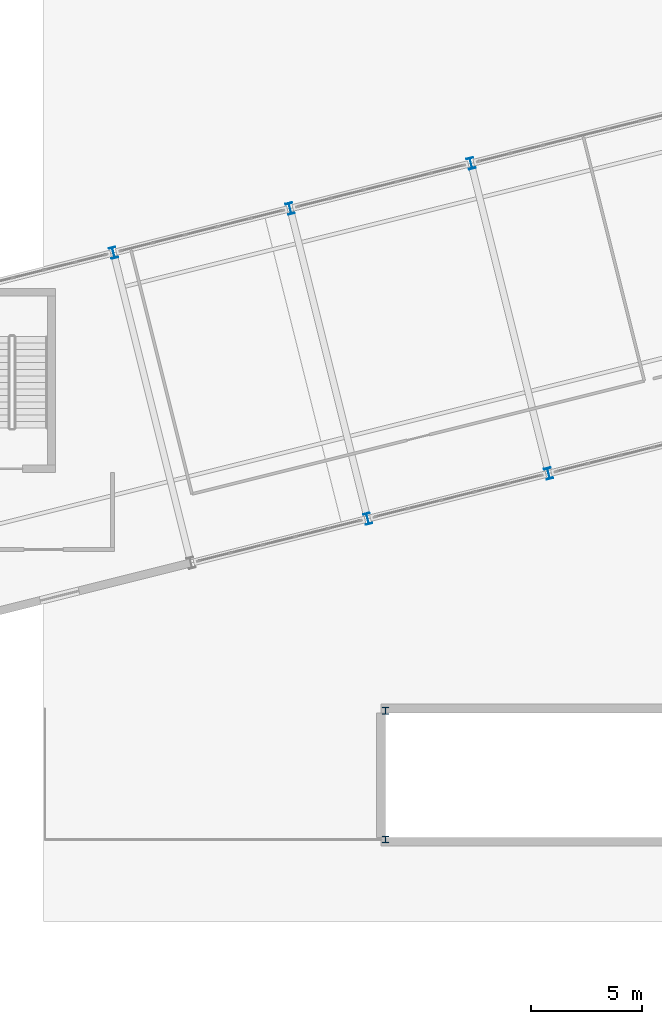
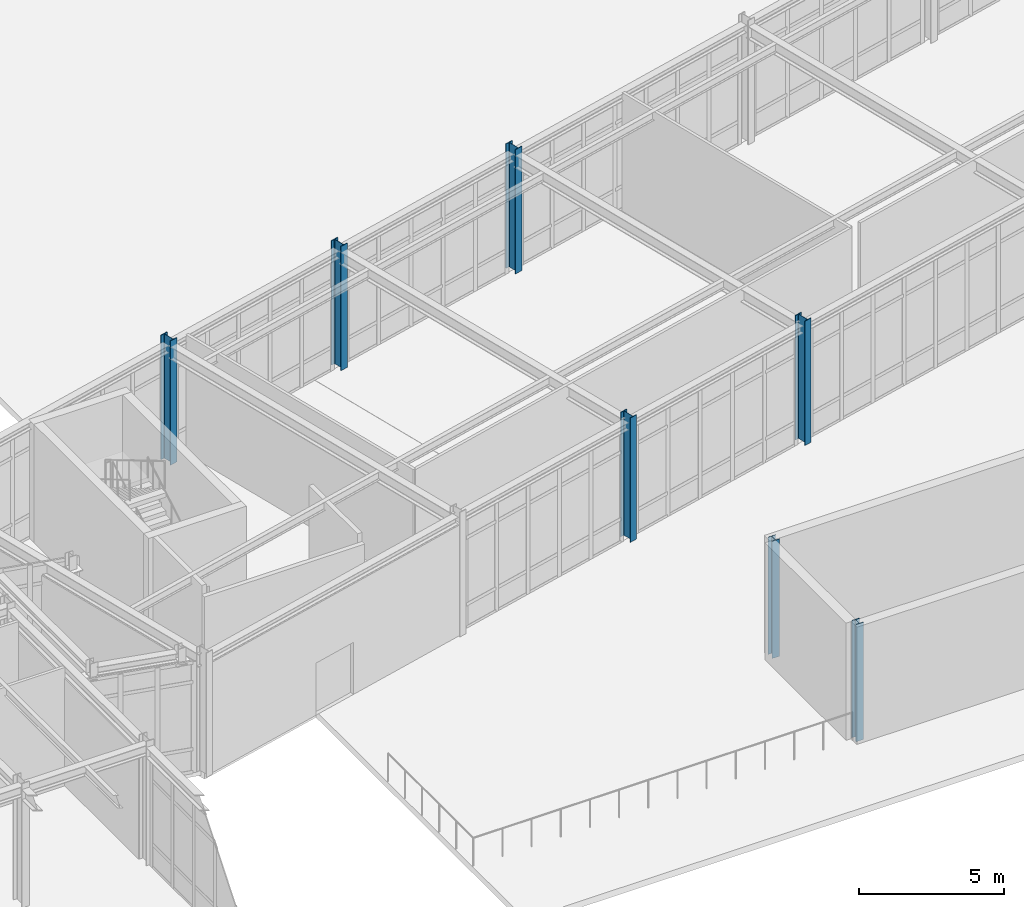
# One storey, part 7 of 109: 7 columns.
"""IFC4 building model written with IfcOpenShell, lengths in metres."""

from ifc_helpers import new_model, si_unit, direction, frame, origin, origin_2d, place, context, subcontext, project, spatial, i_section, extrude, material, material_profile, profile_set, type_object, element, save


model = new_model("IFC4")

# Units and contexts
model_context = context("Model", 3, precision=1e-05, world=origin(), true_north=direction((0.0, 1.0)))
body_context = subcontext(model_context, "Body", "Model", "MODEL_VIEW")
ifc_project = project(units=[si_unit("LENGTHUNIT", "METRE"), si_unit("AREAUNIT", "SQUARE_METRE"), si_unit("VOLUMEUNIT", "CUBIC_METRE"), si_unit("PLANEANGLEUNIT", "RADIAN"), si_unit("MASSUNIT", "GRAM", prefix="KILO")], contexts=[model_context])

# Site, building, storey
site_placement = place(None, origin())
site = spatial("IfcSite", under=ifc_project, at=site_placement, CompositionType="ELEMENT")
building_placement = place(site_placement, origin())
building = spatial("IfcBuilding", under=site, at=building_placement, Name="Nordkorset Police Headquarters", CompositionType="ELEMENT")
storey_placement = place(building_placement, origin())
storey = spatial("IfcBuildingStorey", under=building, at=storey_placement, Name="L00", CompositionType="ELEMENT", Elevation=0.0)

# Columns
ifc_material_1 = material(Name="Steel S355J2", Category="steel")
ifc_material_profile_1 = material_profile(ifc_material_1, i_section(OverallWidth=0.300048828125, OverallDepth=0.300048828125, WebThickness=0.010986328125, FlangeThickness=0.01904296875, FilletRadius=0.027099609375, at=origin_2d()), Name="HEB 300")
ifc_profile_set_1 = profile_set([ifc_material_profile_1], Name="Steel S355J2")
column_type_1 = type_object("IfcColumnType", Name="Col_HEB_300", PredefinedType="COLUMN", material=ifc_profile_set_1)
for number, where, z_axis, x_axis, name in (
    (1, (44.199951171875, 32.5, 0.0), (0.0, 0.0, 1.0), (1.0, 0.0, 0.0), "Ramp Hood Column L00 1"),
    (2, (44.199951171875, 38.300048828125, 0.0), (0.0, 0.0, 1.0), (1.0, 0.0, 0.0), "Ramp Hood Column L00 3"),
):
    element("IfcColumn", number, at=place(storey_placement, frame(where, z_axis=z_axis, x_axis=x_axis)), inside=storey, type_object=column_type_1, Name=name, PredefinedType="COLUMN", context=body_context, shape_type="SweptSolid", body=[
        extrude(i_section(OverallWidth=0.300048828125, OverallDepth=0.300048828125, WebThickness=0.010986328125, FlangeThickness=0.01904296875, FilletRadius=0.027099609375, at=origin_2d()), origin(), (0.0, 0.0, 1.0), 4.949951171875),
    ])
ifc_material_2 = material(Name="Steel S355J2", Category="steel")
ifc_material_profile_2 = material_profile(ifc_material_2, i_section(OverallWidth=0.300048828125, OverallDepth=0.5, WebThickness=0.014404296875, FlangeThickness=0.028076171875, FilletRadius=0.027099609375, at=origin_2d()), Name="HEB 500")
ifc_profile_set_2 = profile_set([ifc_material_profile_2], Name="Steel S355J2")
column_type_2 = type_object("IfcColumnType", Name="Col_HEB_500", PredefinedType="COLUMN", material=ifc_profile_set_2)
for number, where, z_axis, x_axis, name in (
    (3, (31.943115234375, 58.928955078125, 0.0), (0.0, 0.0, 1.0), (0.970142500145, 0.242535625038, 0.0), "Structural Column V4_U1_V1 L00"),
    (4, (43.390869140625, 46.94775390625, 0.0), (0.0, 0.0, 1.0), (0.970142500145, 0.242535625038, 0.0), "Structural Column V4_U2_V0 L00"),
    (5, (39.8984375, 60.917724609375, 0.0), (0.0, 0.0, 1.0), (0.970142500145, 0.242535625038, 0.0), "Structural Column V4_U2_V1 L00"),
    (6, (51.5400390625, 48.985107421875, 0.0), (0.0, 0.0, 1.0), (0.970142500145, 0.242535625038, 0.0), "Structural Column V4_U3_V0 L00"),
    (7, (48.047607421875, 62.955078125, 0.0), (0.0, 0.0, 1.0), (0.970142500145, 0.242535625038, 0.0), "Structural Column V4_U3_V1 L00"),
):
    element("IfcColumn", number, at=place(storey_placement, frame(where, z_axis=z_axis, x_axis=x_axis)), inside=storey, type_object=column_type_2, Name=name, PredefinedType="COLUMN", context=body_context, shape_type="SweptSolid", body=[
        extrude(i_section(OverallWidth=0.300048828125, OverallDepth=0.5, WebThickness=0.014404296875, FlangeThickness=0.028076171875, FilletRadius=0.027099609375, at=origin_2d()), origin(), (0.0, 0.0, 1.0), 5.25),
    ])

save(model, "model.ifc")
